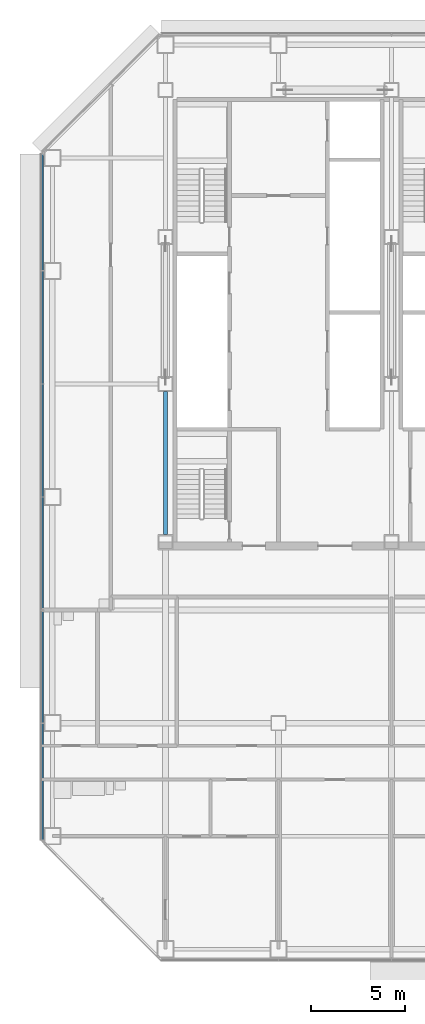
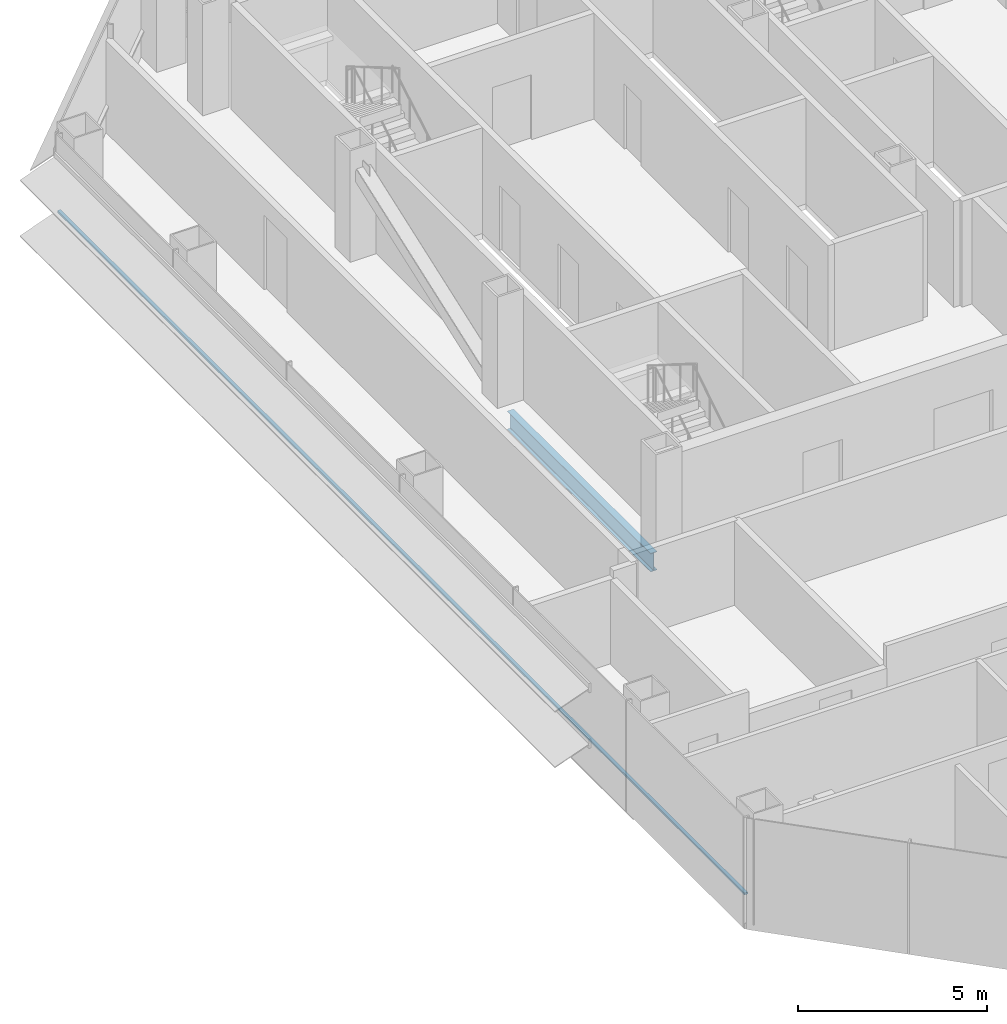
# One storey, part 5 of 27: 1 beam, 1 member, 1 element without a shape of its own.
"""IFC4 building model written with IfcOpenShell, lengths in metres."""

from ifc_helpers import new_model, si_unit, direction, frame, origin, origin_2d, place, context, subcontext, project, spatial, rectangle, i_section, extrude, material, material_profile, profile_set, type_object, element, aggregate, save


model = new_model("IFC4")

# Units and contexts
model_context = context("Model", 3, precision=1e-05, world=origin(), true_north=direction((0.0, 1.0)))
body_context = subcontext(model_context, "Body", "Model", "MODEL_VIEW")
ifc_project = project(units=[si_unit("LENGTHUNIT", "METRE"), si_unit("AREAUNIT", "SQUARE_METRE"), si_unit("VOLUMEUNIT", "CUBIC_METRE"), si_unit("PLANEANGLEUNIT", "RADIAN"), si_unit("MASSUNIT", "GRAM", prefix="KILO")], contexts=[model_context])

# Site, building, storey
site_placement = place(None, origin())
site = spatial("IfcSite", under=ifc_project, at=site_placement, CompositionType="ELEMENT")
building_placement = place(site_placement, origin())
building = spatial("IfcBuilding", under=site, at=building_placement, Name="Sorahane Residences", CompositionType="ELEMENT")
storey_placement = place(building_placement, frame((0.0, 0.0, 57.0)))
storey = spatial("IfcBuildingStorey", under=building, at=storey_placement, Name="L10", CompositionType="ELEMENT", Elevation=57.0)

# Curtain wall, member
ifc_material_1 = material(Name="Dark low-e glass and black anodised aluminium", Category="aluminium")
curtain_wall_type = type_object("IfcCurtainWallType", Name="Curtain wall CW-1 Typical unitised wall", PredefinedType="NOTDEFINED", material=ifc_material_1)
curtain_wall_placement = place(storey_placement, origin())
curtain_wall = element("IfcCurtainWall", 1, at=curtain_wall_placement, inside=storey, type_object=curtain_wall_type, Name="CW-1 curtain wall L10 W1", PredefinedType="NOTDEFINED")
ifc_material_2 = material(Name="Black anodised aluminium", Category="aluminium")
ifc_material_profile_1 = material_profile(ifc_material_2, rectangle(XDim=0.10009765625, YDim=0.06005859375, at=origin_2d()), Name="Curtain wall transom CW-1 black anodised aluminium 60x100")
ifc_profile_set_1 = profile_set([ifc_material_profile_1], Name="Black anodised aluminium")
member_type = type_object("IfcMemberType", Name="Curtain wall transom CW-1 black anodised aluminium 60x100", PredefinedType="USERDEFINED", material=ifc_profile_set_1)
member_placement = place(storey_placement, frame((-0.530029296875, 42.198486328125, 0.89990234375), z_axis=(0.0, -1.0, 0.0), x_axis=(1.0, 0.0, 0.0)))
member = element("IfcMember", 2, at=member_placement, type_object=member_type, Name="CW-1 transom L10 W1", ObjectType="TRANSOM", PredefinedType="USERDEFINED", context=body_context, shape_type="SweptSolid", body=[
    extrude(rectangle(XDim=0.10009765625, YDim=0.06005859375, at=origin_2d()), origin(), (0.0, 0.0, 1.0), 36.39697265625),
])
aggregate(curtain_wall, [member])

# Beam
ifc_material_3 = material(Name="Steel Q355B", Category="steel")
ifc_material_profile_2 = material_profile(ifc_material_3, i_section(OverallWidth=0.199951171875, OverallDepth=0.60009765625, WebThickness=0.010986328125, FlangeThickness=0.01708984375, FilletRadius=0.02392578125, at=origin_2d()), Name="HN 600x200x11x17")
ifc_profile_set_2 = profile_set([ifc_material_profile_2], Name="Steel Q355B")
beam_type = type_object("IfcBeamType", Name="Steel floor beam HN 600x200x11x17 Q355B", PredefinedType="BEAM", material=ifc_profile_set_2)
beam_placement = place(storey_placement, frame((6.0, 22.0, -0.47998046875), z_axis=(0.0, 1.0, 0.0), x_axis=(-1.0, 0.0, 0.0)))
element("IfcBeam", 3, at=beam_placement, inside=storey, type_object=beam_type, Name="Beam L10 023", PredefinedType="BEAM", context=body_context, shape_type="SweptSolid", body=[
    extrude(i_section(OverallWidth=0.199951171875, OverallDepth=0.60009765625, WebThickness=0.010986328125, FlangeThickness=0.01708984375, FilletRadius=0.02392578125, at=origin_2d()), origin(), (0.0, 0.0, 1.0), 7.60009765625),
])

save(model, "model.ifc")
